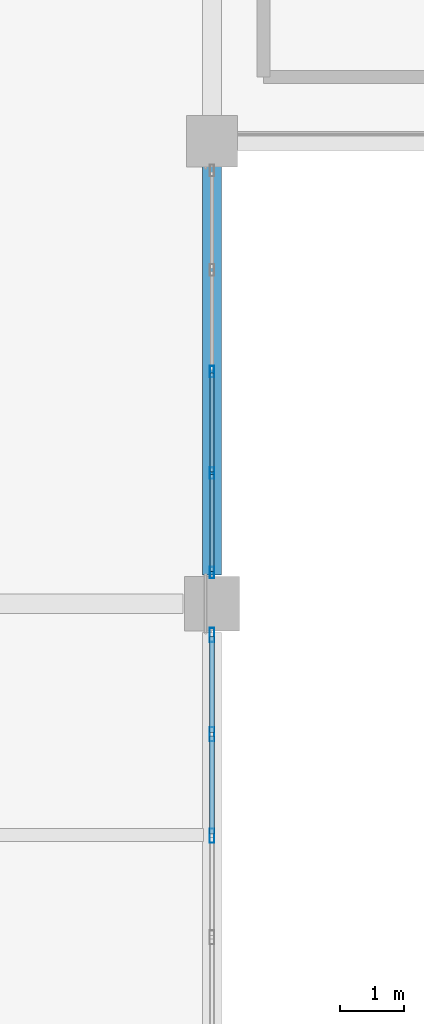
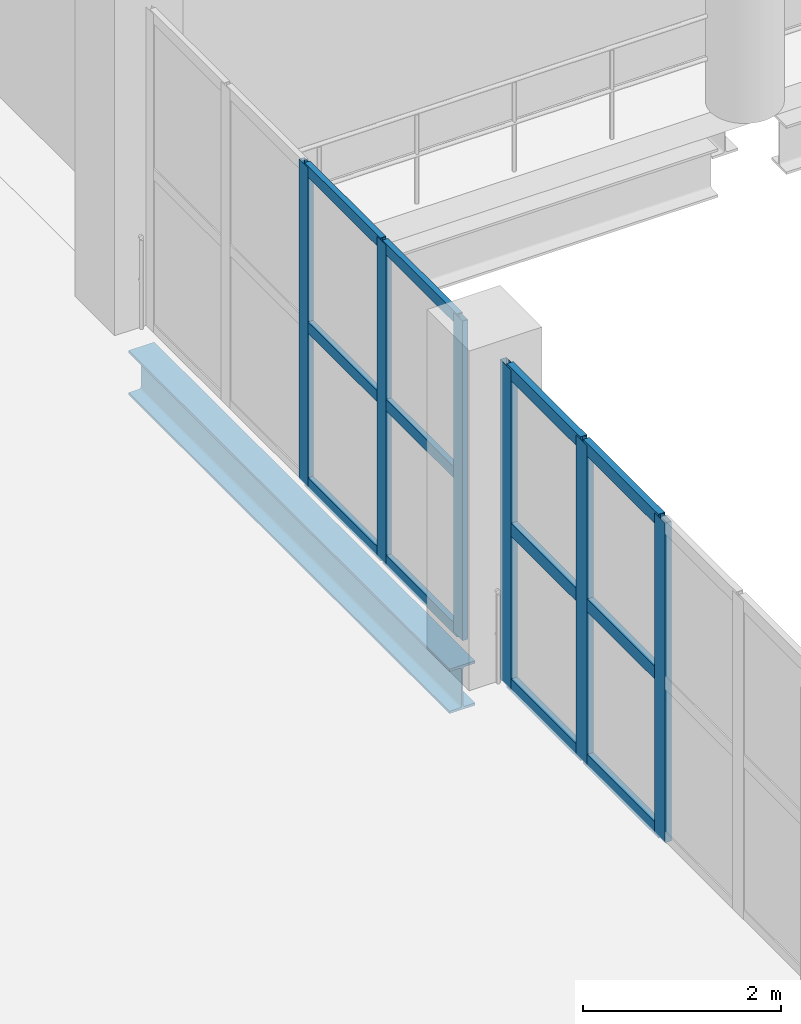
# One storey, part 37 of 153: 18 members, 1 beam, 2 elements without a shape of their own.
"""IFC4 building model written with IfcOpenShell, lengths in metres."""

import ifcopenshell
import ifcopenshell.guid

model = None  # the IFC model being written
_history = None  # IfcOwnerHistory: only IFC2X3 demands one
_inside = {}  # id of a spatial element -> (the spatial element, [elements in it])
_under = {}  # id of a project, library or spatial element -> (it, [spatial elements below it])
_declared = {}  # id of a project -> (the project, [libraries it declares])
_typed = {}  # id of a type object -> (the type object, [elements of that type])
_made_of = {}  # id of a material, layer set ... -> (it, [elements and type objects made of it])


def new_model(schema):
    """Start an empty IFC model of exactly this schema.

    Asked for "IFC4X3", IfcOpenShell would pick the latest addendum, in which some entities
    have other attributes; the version numbers below select the first issue.
    IFC2X3 requires an IfcOwnerHistory on every rooted entity: one is made here for all.
    """
    global model, _history
    if schema == "IFC4X3":
        model = ifcopenshell.file(schema_version=(4, 3, 0, 0))
    else:
        model = ifcopenshell.file(schema=schema)
    _inside.clear()
    _under.clear()
    _declared.clear()
    _typed.clear()
    _made_of.clear()
    _history = None
    if model.schema == "IFC2X3":
        org = make("IfcOrganization", Name="unknown")
        user = make(
            "IfcPersonAndOrganization",
            ThePerson=make("IfcPerson", FamilyName="unknown"),
            TheOrganization=org,
        )
        app = make(
            "IfcApplication",
            ApplicationDeveloper=org,
            Version="unknown",
            ApplicationFullName="unknown",
            ApplicationIdentifier="unknown",
        )
        _history = make(
            "IfcOwnerHistory",
            OwningUser=user,
            OwningApplication=app,
            ChangeAction="ADDED",
            CreationDate=0,
        )
    return model


def make(cls, **values):
    """One entity of the class cls with the attributes given. An attribute that is None is left unset."""
    return model.create_entity(
        cls, **{name: value for name, value in values.items() if value is not None}
    )


def rooted(cls, **values):
    """An entity with a GlobalId (a new one), such as an element, a storey or a relation."""
    return make(cls, GlobalId=ifcopenshell.guid.new(), OwnerHistory=_history, **values)


def si_unit(unit_type, name, prefix=None):
    """IfcSIUnit, for example si_unit("LENGTHUNIT", "METRE", prefix="MILLI")."""
    return make("IfcSIUnit", UnitType=unit_type, Prefix=prefix, Name=name)


def assignment(units):
    """IfcUnitAssignment: the units of a project."""
    return None if units is None else make("IfcUnitAssignment", Units=units)


def point(xyz):
    """IfcCartesianPoint."""
    return None if xyz is None else make("IfcCartesianPoint", Coordinates=xyz)


def direction(xyz):
    """IfcDirection."""
    return None if xyz is None else make("IfcDirection", DirectionRatios=xyz)


def frame(location, z_axis=None, x_axis=None):
    """IfcAxis2Placement3D, a coordinate frame: its origin and axes. An axis left out is left unset."""
    return make(
        "IfcAxis2Placement3D",
        Location=point(location),
        Axis=direction(z_axis),
        RefDirection=direction(x_axis),
    )


def frame_2d(location, x_axis=None):
    """IfcAxis2Placement2D, a coordinate frame in the plane: its origin and x axis."""
    return make(
        "IfcAxis2Placement2D", Location=point(location), RefDirection=direction(x_axis)
    )


def origin():
    """The frame at (0, 0, 0) with its axes left unset."""
    return frame((0.0, 0.0, 0.0))


def origin_2d():
    """The frame at (0, 0) in the plane with its x axis left unset."""
    return frame_2d((0.0, 0.0))


def place(relative_to, where):
    """IfcLocalPlacement: puts the frame where relative to a parent placement (None: the world)."""
    return make(
        "IfcLocalPlacement", PlacementRelTo=relative_to, RelativePlacement=where
    )


def context(
    kind, dimensions, precision=None, world=None, true_north=None, identifier=None
):
    """IfcGeometricRepresentationContext, for example the 3D "Model" context."""
    return make(
        "IfcGeometricRepresentationContext",
        ContextIdentifier=identifier,
        ContextType=kind,
        CoordinateSpaceDimension=dimensions,
        Precision=precision,
        WorldCoordinateSystem=world,
        TrueNorth=true_north,
    )


def subcontext(parent, identifier, kind, view, scale=None):
    """IfcGeometricRepresentationSubContext, for example "Body" below "Model"."""
    return make(
        "IfcGeometricRepresentationSubContext",
        ContextIdentifier=identifier,
        ContextType=kind,
        ParentContext=parent,
        TargetScale=scale,
        TargetView=view,
    )


def project(units=None, contexts=None):
    """IfcProject with its units and contexts."""
    return rooted(
        "IfcProject",
        Name="project",
        RepresentationContexts=contexts,
        UnitsInContext=assignment(units),
    )


def spatial(cls, under=None, at=None, **own):
    """A site, building, storey or space (cls), placed at a placement, below another one or the project."""
    s = rooted(cls, ObjectPlacement=at, **own)
    if under is not None:
        _under.setdefault(under.id(), (under, []))[1].append(s)
    return s


def profile(cls, at=None, kind="AREA", **sizes):
    """A parametric profile (cls). Its sizes go by their IFC names, for example OverallWidth=200.0."""
    return make(cls, ProfileType=kind, Position=at, **sizes)


def hollow_rectangle(**sizes):
    """IfcRectangleHollowProfileDef."""
    return profile("IfcRectangleHollowProfileDef", **sizes)


def i_section(**sizes):
    """IfcIShapeProfileDef."""
    return profile("IfcIShapeProfileDef", **sizes)


def extrude(swept, where, along, depth):
    """IfcExtrudedAreaSolid: the profile swept, set in the frame where, extruded along a direction by depth."""
    return make(
        "IfcExtrudedAreaSolid",
        SweptArea=swept,
        Position=where,
        ExtrudedDirection=direction(along),
        Depth=depth,
    )


def shape(context_of_items, identifier, shape_type, items):
    """IfcShapeRepresentation: the items that make up one representation, for example the "Body"."""
    return make(
        "IfcShapeRepresentation",
        ContextOfItems=context_of_items,
        RepresentationIdentifier=identifier,
        RepresentationType=shape_type,
        Items=items,
    )


def material(Name=None, Category=None):
    """IfcMaterial."""
    return make("IfcMaterial", Name=Name, Category=Category)


def material_profile(
    of_material, cross_section, Name=None, Category=None, Priority=None
):
    """IfcMaterialProfile: a cross section and its material."""
    return make(
        "IfcMaterialProfile",
        Name=Name,
        Material=of_material,
        Profile=cross_section,
        Priority=Priority,
        Category=Category,
    )


def profile_set(profiles, Name=None, composite=None):
    """IfcMaterialProfileSet."""
    return make(
        "IfcMaterialProfileSet",
        Name=Name,
        MaterialProfiles=profiles,
        CompositeProfile=composite,
    )


def made_of(thing, what):
    """Note that an element or type object is made of a material, layer set ...; save() writes the relation."""
    if what is not None:
        _made_of.setdefault(what.id(), (what, []))[1].append(thing)
    return thing


def type_object(cls, material=None, **own):
    """A type object (cls), such as IfcWallType, which elements share."""
    return made_of(rooted(cls, **own), material)


def element(
    cls,
    number,
    at=None,
    inside=None,
    cuts=None,
    type_object=None,
    material=None,
    context=None,
    identifier="Body",
    shape_type=None,
    held_by="IfcProductDefinitionShape",
    body=None,
    shapes=None,
    **own,
):
    """One element of the class cls, such as IfcWall. Its Tag is "e" and its number.

    at: its placement. inside: the storey or other place that contains it. cuts: it is an
    opening in that element (IfcRelVoidsElement). A single representation is given by context,
    identifier, shape_type and body (its items); several are given by shapes. held_by: the class
    of the entity that holds the representations. save() writes the other relations.
    """
    e = rooted(cls, Tag="e%d" % number, ObjectPlacement=at, **own)
    if body is not None:
        shapes = [shape(context, identifier, shape_type, body)]
    if shapes is not None:
        e.Representation = make(held_by, Representations=shapes)
    if inside is not None:
        _inside.setdefault(inside.id(), (inside, []))[1].append(e)
    if cuts is not None:
        rooted(
            "IfcRelVoidsElement", RelatingBuildingElement=cuts, RelatedOpeningElement=e
        )
    if type_object is not None:
        _typed.setdefault(type_object.id(), (type_object, []))[1].append(e)
    return made_of(e, material)


def aggregate(whole, parts):
    """IfcRelAggregates: a whole, such as a stair, and the parts it consists of."""
    return rooted("IfcRelAggregates", RelatingObject=whole, RelatedObjects=parts)


def save(model, path):
    """Write the relations noted so far, then the file.

    IfcRelAggregates (storeys below a building ...), IfcRelContainedInSpatialStructure (elements
    in a storey), IfcRelDefinesByType, IfcRelAssociatesMaterial and IfcRelDeclares: one each for
    every whole, place, type object, material and project.
    """
    for whole, parts in _under.values():
        aggregate(whole, parts)
    for where, things in _inside.values():
        rooted(
            "IfcRelContainedInSpatialStructure",
            RelatedElements=things,
            RelatingStructure=where,
        )
    for kind, things in _typed.values():
        rooted("IfcRelDefinesByType", RelatedObjects=things, RelatingType=kind)
    for what, things in _made_of.values():
        rooted("IfcRelAssociatesMaterial", RelatedObjects=things, RelatingMaterial=what)
    for by, libraries in _declared.values():
        rooted("IfcRelDeclares", RelatingContext=by, RelatedDefinitions=libraries)
    model.write(path)


model = new_model("IFC4")

# Units and contexts
model_context = context("Model", 3, precision=1e-05, world=origin(), true_north=direction((0.0, 1.0)))
body_context = subcontext(model_context, "Body", "Model", "MODEL_VIEW")
ifc_project = project(units=[si_unit("LENGTHUNIT", "METRE"), si_unit("AREAUNIT", "SQUARE_METRE"), si_unit("VOLUMEUNIT", "CUBIC_METRE"), si_unit("PLANEANGLEUNIT", "RADIAN"), si_unit("MASSUNIT", "GRAM", prefix="KILO")], contexts=[model_context])

# Site, building, storey
site_placement = place(None, origin())
site = spatial("IfcSite", under=ifc_project, at=site_placement, CompositionType="ELEMENT")
building_placement = place(site_placement, origin())
building = spatial("IfcBuilding", under=site, at=building_placement, Name="Qandorah Velis Arena", CompositionType="ELEMENT")
storey_placement = place(building_placement, frame((0.0, 0.0, 5.39990234375)))
storey = spatial("IfcBuildingStorey", under=building, at=storey_placement, Name="L01", CompositionType="ELEMENT", Elevation=5.39990234375)

# Curtain wall, members
ifc_material_1 = material(Name="Solar-control low-E double glazing", Category="glass")
curtain_wall_type_1 = type_object("IfcCurtainWallType", Name="ARC-CW-SYS22", PredefinedType="USERDEFINED", material=ifc_material_1)
curtain_wall_1_placement = place(storey_placement, origin())
curtain_wall_1 = element("IfcCurtainWall", 1, at=curtain_wall_1_placement, inside=storey, type_object=curtain_wall_type_1, Name="Unitised curtain wall L01-166", ObjectType="UNITISED CURTAIN WALL", PredefinedType="USERDEFINED")
ifc_material_2 = material(Name="Champagne-bronze anodized aluminium 6063-T6", Category="aluminium")
ifc_material_profile_1 = material_profile(ifc_material_2, hollow_rectangle(XDim=0.06494140625, YDim=0.179931640625, WallThickness=0.00341796875, at=origin_2d()), Name="ALU MULLION 65x180")
ifc_profile_set_1 = profile_set([ifc_material_profile_1], Name="Champagne-bronze anodized aluminium 6063-T6")
member_type_1 = type_object("IfcMemberType", Name="ARC-CWM-180", PredefinedType="MULLION", material=ifc_profile_set_1)
member_1_placement = place(storey_placement, frame((122.39990234375, 36.482421875, -0.014892578125), z_axis=(0.0, 0.0, 1.0), x_axis=(-1.0, 0.0, 0.0)))
member_1 = element("IfcMember", 2, at=member_1_placement, type_object=member_type_1, Name="CW22 mullion 1", PredefinedType="MULLION", context=body_context, shape_type="SweptSolid", body=[
    extrude(hollow_rectangle(XDim=0.06494140625, YDim=0.179931640625, WallThickness=0.00341796875, at=origin_2d()), origin(), (0.0, 0.0, 1.0), 3.949951171875),
])
member_2_placement = place(storey_placement, frame((122.39990234375, 38.03125, -0.014892578125), z_axis=(0.0, 0.0, 1.0), x_axis=(-1.0, 0.0, 0.0)))
member_2 = element("IfcMember", 3, at=member_2_placement, type_object=member_type_1, Name="CW22 mullion 2", PredefinedType="MULLION", context=body_context, shape_type="SweptSolid", body=[
    extrude(hollow_rectangle(XDim=0.06494140625, YDim=0.179931640625, WallThickness=0.00341796875, at=origin_2d()), origin(), (0.0, 0.0, 1.0), 3.949951171875),
])
member_3_placement = place(storey_placement, frame((122.39990234375, 39.612548828125, -0.014892578125), z_axis=(0.0, 0.0, 1.0), x_axis=(-1.0, 0.0, 0.0)))
member_3 = element("IfcMember", 4, at=member_3_placement, type_object=member_type_1, Name="CW22 mullion 3", PredefinedType="MULLION", context=body_context, shape_type="SweptSolid", body=[
    extrude(hollow_rectangle(XDim=0.06494140625, YDim=0.179931640625, WallThickness=0.00341796875, at=origin_2d()), origin(), (0.0, 0.0, 1.0), 3.949951171875),
])

curtain_wall_type_2 = type_object("IfcCurtainWallType", Name="ARC-CW-SYS21", PredefinedType="USERDEFINED", material=ifc_material_1)
curtain_wall_2_placement = place(storey_placement, origin())
curtain_wall_2 = element("IfcCurtainWall", 5, at=curtain_wall_2_placement, inside=storey, type_object=curtain_wall_type_2, Name="Unitised curtain wall L01-165", ObjectType="UNITISED CURTAIN WALL", PredefinedType="USERDEFINED")
ifc_material_profile_2 = material_profile(ifc_material_2, hollow_rectangle(XDim=0.074951171875, YDim=0.219970703125, WallThickness=0.00390625, at=origin_2d()), Name="ALU MULLION 75x220")
ifc_profile_set_2 = profile_set([ifc_material_profile_2], Name="Champagne-bronze anodized aluminium 6063-T6")
member_type_2 = type_object("IfcMemberType", Name="ARC-CWM-220", PredefinedType="MULLION", material=ifc_profile_set_2)
member_4_placement = place(storey_placement, frame((122.39990234375, 32.387451171875, -0.014892578125), z_axis=(0.0, 0.0, 1.0), x_axis=(-1.0, 0.0, 0.0)))
member_4 = element("IfcMember", 6, at=member_4_placement, type_object=member_type_2, Name="CW21 mullion 3", PredefinedType="MULLION", context=body_context, shape_type="SweptSolid", body=[
    extrude(hollow_rectangle(XDim=0.074951171875, YDim=0.219970703125, WallThickness=0.00390625, at=origin_2d()), origin(), (0.0, 0.0, 1.0), 3.949951171875),
])
member_5_placement = place(storey_placement, frame((122.39990234375, 33.96875, -0.014892578125), z_axis=(0.0, 0.0, 1.0), x_axis=(-1.0, 0.0, 0.0)))
member_5 = element("IfcMember", 7, at=member_5_placement, type_object=member_type_2, Name="CW21 mullion 4", PredefinedType="MULLION", context=body_context, shape_type="SweptSolid", body=[
    extrude(hollow_rectangle(XDim=0.074951171875, YDim=0.219970703125, WallThickness=0.00390625, at=origin_2d()), origin(), (0.0, 0.0, 1.0), 3.949951171875),
])
member_6_placement = place(storey_placement, frame((122.39990234375, 35.512451171875, -0.014892578125), z_axis=(0.0, 0.0, 1.0), x_axis=(-1.0, 0.0, 0.0)))
member_6 = element("IfcMember", 8, at=member_6_placement, type_object=member_type_2, Name="CW21 mullion 5", PredefinedType="MULLION", context=body_context, shape_type="SweptSolid", body=[
    extrude(hollow_rectangle(XDim=0.074951171875, YDim=0.219970703125, WallThickness=0.00390625, at=origin_2d()), origin(), (0.0, 0.0, 1.0), 3.949951171875),
])

# Member
ifc_material_profile_3 = material_profile(ifc_material_2, hollow_rectangle(XDim=0.06494140625, YDim=0.139892578125, WallThickness=0.0029296875, at=origin_2d()), Name="ALU TRANSOM 65x140")
ifc_profile_set_3 = profile_set([ifc_material_profile_3], Name="Champagne-bronze anodized aluminium 6063-T6")
member_type_3 = type_object("IfcMemberType", Name="ARC-CWT-140", PredefinedType="USERDEFINED", material=ifc_profile_set_3)
member_7_placement = place(storey_placement, frame((122.39990234375, 36.5029296875, 0.03271484375), z_axis=(0.0, 1.0, 0.0), x_axis=(-1.0, 0.0, 0.0)))
member_7 = element("IfcMember", 9, at=member_7_placement, type_object=member_type_3, Name="CW22 transom 1.1", ObjectType="TRANSOM", PredefinedType="USERDEFINED", context=body_context, shape_type="SweptSolid", body=[
    extrude(hollow_rectangle(XDim=0.06494140625, YDim=0.139892578125, WallThickness=0.0029296875, at=origin_2d()), origin(), (0.0, 0.0, 1.0), 1.5078125),
])

member_8_placement = place(storey_placement, frame((122.39990234375, 36.5029296875, 1.960205078125), z_axis=(0.0, 1.0, 0.0), x_axis=(-1.0, 0.0, 0.0)))
member_8 = element("IfcMember", 10, at=member_8_placement, type_object=member_type_3, Name="CW22 transom 1.2", ObjectType="TRANSOM", PredefinedType="USERDEFINED", context=body_context, shape_type="SweptSolid", body=[
    extrude(hollow_rectangle(XDim=0.06494140625, YDim=0.139892578125, WallThickness=0.0029296875, at=origin_2d()), origin(), (0.0, 0.0, 1.0), 1.5078125),
])

member_9_placement = place(storey_placement, frame((122.39990234375, 36.5029296875, 3.8876953125), z_axis=(0.0, 1.0, 0.0), x_axis=(-1.0, 0.0, 0.0)))
member_9 = element("IfcMember", 11, at=member_9_placement, type_object=member_type_3, Name="CW22 transom 1.3", ObjectType="TRANSOM", PredefinedType="USERDEFINED", context=body_context, shape_type="SweptSolid", body=[
    extrude(hollow_rectangle(XDim=0.06494140625, YDim=0.139892578125, WallThickness=0.0029296875, at=origin_2d()), origin(), (0.0, 0.0, 1.0), 1.5078125),
])

member_10_placement = place(storey_placement, frame((122.39990234375, 38.0517578125, 0.03271484375), z_axis=(0.0, 1.0, 0.0), x_axis=(-1.0, 0.0, 0.0)))
member_10 = element("IfcMember", 12, at=member_10_placement, type_object=member_type_3, Name="CW22 transom 2.1", ObjectType="TRANSOM", PredefinedType="USERDEFINED", context=body_context, shape_type="SweptSolid", body=[
    extrude(hollow_rectangle(XDim=0.06494140625, YDim=0.139892578125, WallThickness=0.0029296875, at=origin_2d()), origin(), (0.0, 0.0, 1.0), 1.540283203125),
])

member_11_placement = place(storey_placement, frame((122.39990234375, 38.0517578125, 1.960205078125), z_axis=(0.0, 1.0, 0.0), x_axis=(-1.0, 0.0, 0.0)))
member_11 = element("IfcMember", 13, at=member_11_placement, type_object=member_type_3, Name="CW22 transom 2.2", ObjectType="TRANSOM", PredefinedType="USERDEFINED", context=body_context, shape_type="SweptSolid", body=[
    extrude(hollow_rectangle(XDim=0.06494140625, YDim=0.139892578125, WallThickness=0.0029296875, at=origin_2d()), origin(), (0.0, 0.0, 1.0), 1.540283203125),
])

member_12_placement = place(storey_placement, frame((122.39990234375, 38.0517578125, 3.8876953125), z_axis=(0.0, 1.0, 0.0), x_axis=(-1.0, 0.0, 0.0)))
member_12 = element("IfcMember", 14, at=member_12_placement, type_object=member_type_3, Name="CW22 transom 2.3", ObjectType="TRANSOM", PredefinedType="USERDEFINED", context=body_context, shape_type="SweptSolid", body=[
    extrude(hollow_rectangle(XDim=0.06494140625, YDim=0.139892578125, WallThickness=0.0029296875, at=origin_2d()), origin(), (0.0, 0.0, 1.0), 1.540283203125),
])

aggregate(curtain_wall_1, [member_1, member_2, member_3, member_7, member_8, member_9, member_10, member_11, member_12])

ifc_material_profile_4 = material_profile(ifc_material_2, hollow_rectangle(XDim=0.074951171875, YDim=0.159912109375, WallThickness=0.00341796875, at=origin_2d()), Name="ALU TRANSOM 75x160")
ifc_profile_set_4 = profile_set([ifc_material_profile_4], Name="Champagne-bronze anodized aluminium 6063-T6")
member_type_4 = type_object("IfcMemberType", Name="ARC-CWT-160", PredefinedType="USERDEFINED", material=ifc_profile_set_4)
member_13_placement = place(storey_placement, frame((122.39990234375, 32.4130859375, 0.03759765625), z_axis=(0.0, 1.0, 0.0), x_axis=(-1.0, 0.0, 0.0)))
member_13 = element("IfcMember", 15, at=member_13_placement, type_object=member_type_4, Name="CW21 transom 3.1", ObjectType="TRANSOM", PredefinedType="USERDEFINED", context=body_context, shape_type="SweptSolid", body=[
    extrude(hollow_rectangle(XDim=0.074951171875, YDim=0.159912109375, WallThickness=0.00341796875, at=origin_2d()), origin(), (0.0, 0.0, 1.0), 1.530029296875),
])

member_14_placement = place(storey_placement, frame((122.39990234375, 32.4130859375, 1.960205078125), z_axis=(0.0, 1.0, 0.0), x_axis=(-1.0, 0.0, 0.0)))
member_14 = element("IfcMember", 16, at=member_14_placement, type_object=member_type_4, Name="CW21 transom 3.2", ObjectType="TRANSOM", PredefinedType="USERDEFINED", context=body_context, shape_type="SweptSolid", body=[
    extrude(hollow_rectangle(XDim=0.074951171875, YDim=0.159912109375, WallThickness=0.00341796875, at=origin_2d()), origin(), (0.0, 0.0, 1.0), 1.530029296875),
])

member_15_placement = place(storey_placement, frame((122.39990234375, 32.4130859375, 3.882568359375), z_axis=(0.0, 1.0, 0.0), x_axis=(-1.0, 0.0, 0.0)))
member_15 = element("IfcMember", 17, at=member_15_placement, type_object=member_type_4, Name="CW21 transom 3.3", ObjectType="TRANSOM", PredefinedType="USERDEFINED", context=body_context, shape_type="SweptSolid", body=[
    extrude(hollow_rectangle(XDim=0.074951171875, YDim=0.159912109375, WallThickness=0.00341796875, at=origin_2d()), origin(), (0.0, 0.0, 1.0), 1.530029296875),
])

member_16_placement = place(storey_placement, frame((122.39990234375, 33.994140625, 0.03759765625), z_axis=(0.0, 1.0, 0.0), x_axis=(-1.0, 0.0, 0.0)))
member_16 = element("IfcMember", 18, at=member_16_placement, type_object=member_type_4, Name="CW21 transom 4.1", ObjectType="TRANSOM", PredefinedType="USERDEFINED", context=body_context, shape_type="SweptSolid", body=[
    extrude(hollow_rectangle(XDim=0.074951171875, YDim=0.159912109375, WallThickness=0.00341796875, at=origin_2d()), origin(), (0.0, 0.0, 1.0), 1.492919921875),
])

member_17_placement = place(storey_placement, frame((122.39990234375, 33.994140625, 1.960205078125), z_axis=(0.0, 1.0, 0.0), x_axis=(-1.0, 0.0, 0.0)))
member_17 = element("IfcMember", 19, at=member_17_placement, type_object=member_type_4, Name="CW21 transom 4.2", ObjectType="TRANSOM", PredefinedType="USERDEFINED", context=body_context, shape_type="SweptSolid", body=[
    extrude(hollow_rectangle(XDim=0.074951171875, YDim=0.159912109375, WallThickness=0.00341796875, at=origin_2d()), origin(), (0.0, 0.0, 1.0), 1.492919921875),
])

member_18_placement = place(storey_placement, frame((122.39990234375, 33.994140625, 3.882568359375), z_axis=(0.0, 1.0, 0.0), x_axis=(-1.0, 0.0, 0.0)))
member_18 = element("IfcMember", 20, at=member_18_placement, type_object=member_type_4, Name="CW21 transom 4.3", ObjectType="TRANSOM", PredefinedType="USERDEFINED", context=body_context, shape_type="SweptSolid", body=[
    extrude(hollow_rectangle(XDim=0.074951171875, YDim=0.159912109375, WallThickness=0.00341796875, at=origin_2d()), origin(), (0.0, 0.0, 1.0), 1.492919921875),
])

aggregate(curtain_wall_2, [member_4, member_5, member_6, member_13, member_14, member_15, member_16, member_17, member_18])

# Beam
ifc_material_3 = material(Name="Steel S355", Category="steel")
ifc_material_profile_5 = material_profile(ifc_material_3, i_section(OverallWidth=0.300048828125, OverallDepth=0.550048828125, WebThickness=0.014892578125, FlangeThickness=0.029052734375, FilletRadius=0.027099609375, at=origin_2d()), Name="HEB 550")
ifc_profile_set_5 = profile_set([ifc_material_profile_5], Name="Steel S355")
beam_type = type_object("IfcBeamType", Name="STR-BM-HEB550", PredefinedType="BEAM", material=ifc_profile_set_5)
beam_placement = place(storey_placement, frame((122.39990234375, 36.449951171875, -0.635009765625), z_axis=(0.0, 1.0, 0.0), x_axis=(-1.0, 0.0, 0.0)))
element("IfcBeam", 21, at=beam_placement, inside=storey, type_object=beam_type, Name="Primary floor girder L01 Y-395", PredefinedType="BEAM", context=body_context, shape_type="SweptSolid", body=[
    extrude(i_section(OverallWidth=0.300048828125, OverallDepth=0.550048828125, WebThickness=0.014892578125, FlangeThickness=0.029052734375, FilletRadius=0.027099609375, at=origin_2d()), origin(), (0.0, 0.0, 1.0), 6.5),
])

save(model, "model.ifc")
